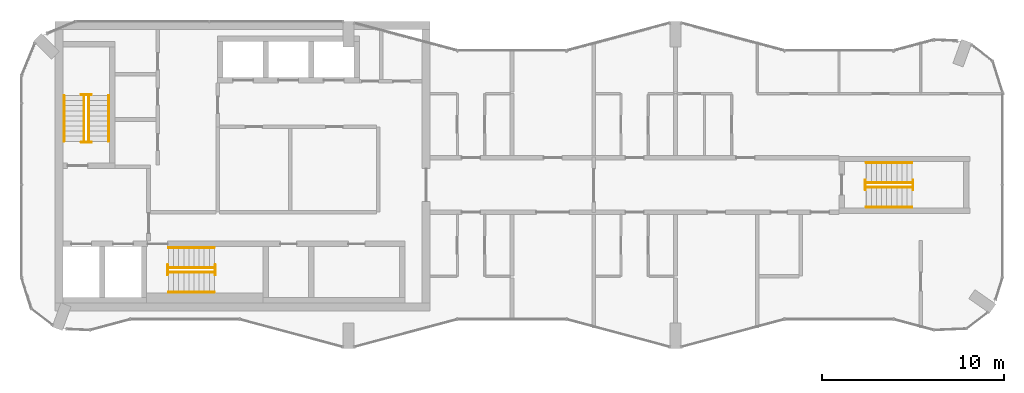
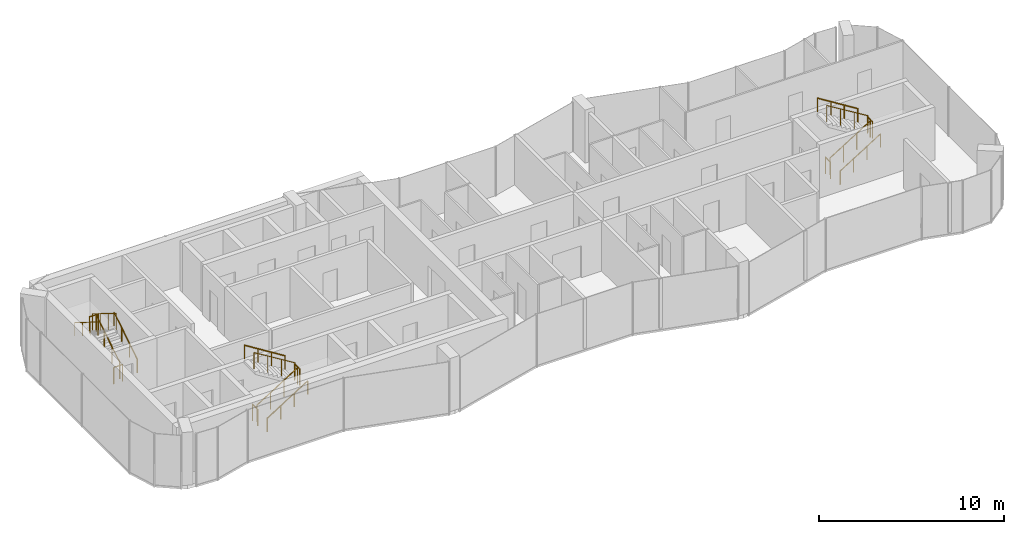
# One storey, part 10 of 10: 18 railings.
"""IFC4 building model written with IfcOpenShell, lengths in metres."""

from ifc_helpers import new_model, si_unit, direction, frame, origin, origin_2d, place, context, subcontext, project, spatial, circle, extrude, material, type_object, element, save


model = new_model("IFC4")

# Units and contexts
model_context = context("Model", 3, precision=1e-05, world=origin(), true_north=direction((0.0, 1.0)))
body_context = subcontext(model_context, "Body", "Model", "MODEL_VIEW")
ifc_project = project(units=[si_unit("LENGTHUNIT", "METRE"), si_unit("AREAUNIT", "SQUARE_METRE"), si_unit("VOLUMEUNIT", "CUBIC_METRE"), si_unit("PLANEANGLEUNIT", "RADIAN"), si_unit("MASSUNIT", "GRAM", prefix="KILO")], contexts=[model_context])

# Site, building, storey
site_placement = place(None, origin())
site = spatial("IfcSite", under=ifc_project, at=site_placement, CompositionType="ELEMENT")
building_placement = place(site_placement, origin())
building = spatial("IfcBuilding", under=site, at=building_placement, Name="Plateau Cross Towers", CompositionType="ELEMENT")
storey_placement = place(building_placement, frame((0.0, 0.0, 259.89990234375)))
storey = spatial("IfcBuildingStorey", under=building, at=storey_placement, Name="L68", CompositionType="ELEMENT", Elevation=259.89990234375)

# Railings
ifc_material_1 = material(Name="Stainless steel and toughened glass", Category="steel")
railing_type_1 = type_object("IfcRailingType", Name="RL-GUARD-1100", PredefinedType="GUARDRAIL", material=ifc_material_1)
railing_1_placement = place(storey_placement, frame((3.699951171875, 11.39990234375, 0.175048828125)))
element("IfcRailing", 1, at=railing_1_placement, inside=storey, type_object=railing_type_1, Name="L68 ST-1 stair guard 1", PredefinedType="GUARDRAIL", context=body_context, shape_type="SweptSolid", body=[
    extrude(circle(Radius=0.02392578125, at=origin_2d()), frame((0.0, 0.0, 1.076171875), z_axis=(0.0, 0.848007534815, 0.529984170421), x_axis=(-1.0, 0.0, 0.0)), (0.0, 0.0, 1.0), 2.9716796875),
    extrude(circle(Radius=0.02099609375, at=origin_2d()), origin(), (0.0, 0.0, 1.0), 1.052001953125),
    extrude(circle(Radius=0.02099609375, at=origin_2d()), frame((0.0, 0.840087890625, 0.52490234375)), (0.0, 0.0, 1.0), 1.052001953125),
    extrude(circle(Radius=0.02099609375, at=origin_2d()), frame((0.0, 1.679931640625, 1.050048828125)), (0.0, 0.0, 1.0), 1.052001953125),
    extrude(circle(Radius=0.02099609375, at=origin_2d()), frame((0.0, 2.52001953125, 1.574951171875)), (0.0, 0.0, 1.0), 1.052001953125),
])
railing_2_placement = place(storey_placement, frame((3.85009765625, 13.969970703125, 1.75)))
element("IfcRailing", 2, at=railing_2_placement, inside=storey, type_object=railing_type_1, Name="L68 ST-1 stair guard 2", PredefinedType="GUARDRAIL", context=body_context, shape_type="SweptSolid", body=[
    extrude(circle(Radius=0.02392578125, at=origin_2d()), frame((0.0, 0.0, 1.076171875), z_axis=(-1.0, 0.0, 0.0), x_axis=(0.0, -1.0, 0.0)), (0.0, 0.0, 1.0), 0.550048828125),
    extrude(circle(Radius=0.02099609375, at=origin_2d()), origin(), (0.0, 0.0, 1.0), 1.052001953125),
    extrude(circle(Radius=0.02099609375, at=origin_2d()), frame((-0.550048828125, 0.0, 0.0)), (0.0, 0.0, 1.0), 1.052001953125),
])
railing_3_placement = place(storey_placement, frame((3.449951171875, 13.919921875, 1.925048828125)))
element("IfcRailing", 3, at=railing_3_placement, inside=storey, type_object=railing_type_1, Name="L68 ST-1 stair guard 3", PredefinedType="GUARDRAIL", context=body_context, shape_type="SweptSolid", body=[
    extrude(circle(Radius=0.02392578125, at=origin_2d()), frame((0.0, 0.0, 1.076171875), z_axis=(0.0, -0.852616386126, 0.522537365276), x_axis=(1.0, 0.0, 0.0)), (0.0, 0.0, 1.0), 3.01416015625),
    extrude(circle(Radius=0.02099609375, at=origin_2d()), origin(), (0.0, 0.0, 1.0), 1.052001953125),
    extrude(circle(Radius=0.02099609375, at=origin_2d()), frame((0.0, -0.856689453125, 0.52490234375)), (0.0, 0.0, 1.0), 1.052001953125),
    extrude(circle(Radius=0.02099609375, at=origin_2d()), frame((0.0, -1.713134765625, 1.050048828125)), (0.0, 0.0, 1.0), 1.052001953125),
    extrude(circle(Radius=0.02099609375, at=origin_2d()), frame((0.0, -2.56982421875, 1.574951171875)), (0.0, 0.0, 1.0), 1.052001953125),
])
railing_4_placement = place(storey_placement, frame((3.85009765625, 11.35009765625, 0.0)))
element("IfcRailing", 4, at=railing_4_placement, inside=storey, type_object=railing_type_1, Name="L68 ST-1 stair guard 4", PredefinedType="GUARDRAIL", context=body_context, shape_type="SweptSolid", body=[
    extrude(circle(Radius=0.02392578125, at=origin_2d()), frame((0.0, 0.0, 1.076171875), z_axis=(-1.0, 0.0, 0.0), x_axis=(0.0, -1.0, 0.0)), (0.0, 0.0, 1.0), 0.550048828125),
    extrude(circle(Radius=0.02099609375, at=origin_2d()), origin(), (0.0, 0.0, 1.0), 1.052001953125),
    extrude(circle(Radius=0.02099609375, at=origin_2d()), frame((-0.550048828125, 0.0, 0.0)), (0.0, 0.0, 1.0), 1.052001953125),
])
railing_5_placement = place(storey_placement, frame((8.10009765625, 4.199951171875, 0.175048828125)))
element("IfcRailing", 5, at=railing_5_placement, inside=storey, type_object=railing_type_1, Name="L68 ST-2 stair guard 1", PredefinedType="GUARDRAIL", context=body_context, shape_type="SweptSolid", body=[
    extrude(circle(Radius=0.02392578125, at=origin_2d()), frame((0.0, 0.0, 1.076171875), z_axis=(0.848007534815, 0.0, 0.529984170421), x_axis=(0.0, 1.0, 0.0)), (0.0, 0.0, 1.0), 2.9716796875),
    extrude(circle(Radius=0.02099609375, at=origin_2d()), origin(), (0.0, 0.0, 1.0), 1.052001953125),
    extrude(circle(Radius=0.02099609375, at=origin_2d()), frame((0.840087890625, 0.0, 0.52490234375)), (0.0, 0.0, 1.0), 1.052001953125),
    extrude(circle(Radius=0.02099609375, at=origin_2d()), frame((1.679931640625, 0.0, 1.050048828125)), (0.0, 0.0, 1.0), 1.052001953125),
    extrude(circle(Radius=0.02099609375, at=origin_2d()), frame((2.52001953125, 0.0, 1.574951171875)), (0.0, 0.0, 1.0), 1.052001953125),
])
railing_6_placement = place(storey_placement, frame((10.669921875, 4.050048828125, 1.75)))
element("IfcRailing", 6, at=railing_6_placement, inside=storey, type_object=railing_type_1, Name="L68 ST-2 stair guard 2", PredefinedType="GUARDRAIL", context=body_context, shape_type="SweptSolid", body=[
    extrude(circle(Radius=0.02392578125, at=origin_2d()), frame((0.0, 0.0, 1.076171875), z_axis=(0.0, 1.0, 0.0), x_axis=(-1.0, 0.0, 0.0)), (0.0, 0.0, 1.0), 0.550048828125),
    extrude(circle(Radius=0.02099609375, at=origin_2d()), origin(), (0.0, 0.0, 1.0), 1.052001953125),
    extrude(circle(Radius=0.02099609375, at=origin_2d()), frame((0.0, 0.550048828125, 0.0)), (0.0, 0.0, 1.0), 1.052001953125),
])
railing_7_placement = place(storey_placement, frame((10.6201171875, 4.449951171875, 1.925048828125)))
element("IfcRailing", 7, at=railing_7_placement, inside=storey, type_object=railing_type_1, Name="L68 ST-2 stair guard 3", PredefinedType="GUARDRAIL", context=body_context, shape_type="SweptSolid", body=[
    extrude(circle(Radius=0.02392578125, at=origin_2d()), frame((0.0, 0.0, 1.076171875), z_axis=(-0.852638500773, 0.0, 0.522501279423), x_axis=(0.0, -1.0, 0.0)), (0.0, 0.0, 1.0), 3.01416015625),
    extrude(circle(Radius=0.02099609375, at=origin_2d()), origin(), (0.0, 0.0, 1.0), 1.052001953125),
    extrude(circle(Radius=0.02099609375, at=origin_2d()), frame((-0.856689453125, 0.0, 0.52490234375)), (0.0, 0.0, 1.0), 1.052001953125),
    extrude(circle(Radius=0.02099609375, at=origin_2d()), frame((-1.71337890625, 0.0, 1.050048828125)), (0.0, 0.0, 1.0), 1.052001953125),
    extrude(circle(Radius=0.02099609375, at=origin_2d()), frame((-2.570068359375, 0.0, 1.574951171875)), (0.0, 0.0, 1.0), 1.052001953125),
])
railing_8_placement = place(storey_placement, frame((8.050048828125, 4.050048828125, 0.0)))
element("IfcRailing", 8, at=railing_8_placement, inside=storey, type_object=railing_type_1, Name="L68 ST-2 stair guard 4", PredefinedType="GUARDRAIL", context=body_context, shape_type="SweptSolid", body=[
    extrude(circle(Radius=0.02392578125, at=origin_2d()), frame((0.0, 0.0, 1.076171875), z_axis=(0.0, 1.0, 0.0), x_axis=(-1.0, 0.0, 0.0)), (0.0, 0.0, 1.0), 0.550048828125),
    extrude(circle(Radius=0.02099609375, at=origin_2d()), origin(), (0.0, 0.0, 1.0), 1.052001953125),
    extrude(circle(Radius=0.02099609375, at=origin_2d()), frame((0.0, 0.550048828125, 0.0)), (0.0, 0.0, 1.0), 1.052001953125),
])
railing_9_placement = place(storey_placement, frame((46.5, 8.875, 0.175048828125)))
element("IfcRailing", 9, at=railing_9_placement, inside=storey, type_object=railing_type_1, Name="L68 ES-E stair guard 1", PredefinedType="GUARDRAIL", context=body_context, shape_type="SweptSolid", body=[
    extrude(circle(Radius=0.02392578125, at=origin_2d()), frame((0.0, 0.0, 1.076171875), z_axis=(0.848007534815, 0.0, 0.529984170421), x_axis=(0.0, 1.0, 0.0)), (0.0, 0.0, 1.0), 2.9716796875),
    extrude(circle(Radius=0.02099609375, at=origin_2d()), origin(), (0.0, 0.0, 1.0), 1.052001953125),
    extrude(circle(Radius=0.02099609375, at=origin_2d()), frame((0.840087890625, 0.0, 0.52490234375)), (0.0, 0.0, 1.0), 1.052001953125),
    extrude(circle(Radius=0.02099609375, at=origin_2d()), frame((1.679931640625, 0.0, 1.050048828125)), (0.0, 0.0, 1.0), 1.052001953125),
    extrude(circle(Radius=0.02099609375, at=origin_2d()), frame((2.52001953125, 0.0, 1.574951171875)), (0.0, 0.0, 1.0), 1.052001953125),
])
railing_10_placement = place(storey_placement, frame((49.070068359375, 8.72509765625, 1.75)))
element("IfcRailing", 10, at=railing_10_placement, inside=storey, type_object=railing_type_1, Name="L68 ES-E stair guard 2", PredefinedType="GUARDRAIL", context=body_context, shape_type="SweptSolid", body=[
    extrude(circle(Radius=0.02392578125, at=origin_2d()), frame((0.0, 0.0, 1.076171875), z_axis=(0.0, 1.0, 0.0), x_axis=(-1.0, 0.0, 0.0)), (0.0, 0.0, 1.0), 0.5498046875),
    extrude(circle(Radius=0.02099609375, at=origin_2d()), origin(), (0.0, 0.0, 1.0), 1.052001953125),
    extrude(circle(Radius=0.02099609375, at=origin_2d()), frame((0.0, 0.5498046875, 0.0)), (0.0, 0.0, 1.0), 1.052001953125),
])
railing_11_placement = place(storey_placement, frame((49.02001953125, 9.125, 1.925048828125)))
element("IfcRailing", 11, at=railing_11_placement, inside=storey, type_object=railing_type_1, Name="L68 ES-E stair guard 3", PredefinedType="GUARDRAIL", context=body_context, shape_type="SweptSolid", body=[
    extrude(circle(Radius=0.02392578125, at=origin_2d()), frame((0.0, 0.0, 1.076171875), z_axis=(-0.852638500773, 0.0, 0.522501279423), x_axis=(0.0, -1.0, 0.0)), (0.0, 0.0, 1.0), 3.01416015625),
    extrude(circle(Radius=0.02099609375, at=origin_2d()), origin(), (0.0, 0.0, 1.0), 1.052001953125),
    extrude(circle(Radius=0.02099609375, at=origin_2d()), frame((-0.856689453125, 0.0, 0.52490234375)), (0.0, 0.0, 1.0), 1.052001953125),
    extrude(circle(Radius=0.02099609375, at=origin_2d()), frame((-1.71337890625, 0.0, 1.050048828125)), (0.0, 0.0, 1.0), 1.052001953125),
    extrude(circle(Radius=0.02099609375, at=origin_2d()), frame((-2.570068359375, 0.0, 1.574951171875)), (0.0, 0.0, 1.0), 1.052001953125),
])
railing_12_placement = place(storey_placement, frame((46.449951171875, 8.72509765625, 0.0)))
element("IfcRailing", 12, at=railing_12_placement, inside=storey, type_object=railing_type_1, Name="L68 ES-E stair guard 4", PredefinedType="GUARDRAIL", context=body_context, shape_type="SweptSolid", body=[
    extrude(circle(Radius=0.02392578125, at=origin_2d()), frame((0.0, 0.0, 1.076171875), z_axis=(0.0, 1.0, 0.0), x_axis=(-1.0, 0.0, 0.0)), (0.0, 0.0, 1.0), 0.5498046875),
    extrude(circle(Radius=0.02099609375, at=origin_2d()), origin(), (0.0, 0.0, 1.0), 1.052001953125),
    extrude(circle(Radius=0.02099609375, at=origin_2d()), frame((0.0, 0.5498046875, 0.0)), (0.0, 0.0, 1.0), 1.052001953125),
])
ifc_material_2 = material(Name="Black anodised aluminium", Category="aluminium")
railing_type_2 = type_object("IfcRailingType", Name="RL-HANDRAIL-900", PredefinedType="HANDRAIL", material=ifc_material_2)
railing_13_placement = place(storey_placement, frame((4.800048828125, 11.39990234375, 0.175048828125)))
element("IfcRailing", 13, at=railing_13_placement, inside=storey, type_object=railing_type_2, Name="L68 ST-1 stair handrail 1", PredefinedType="HANDRAIL", context=body_context, shape_type="SweptSolid", body=[
    extrude(circle(Radius=0.02392578125, at=origin_2d()), frame((0.0, 0.0, 0.8759765625), z_axis=(0.0, 0.848007534815, 0.529984170421), x_axis=(-1.0, 0.0, 0.0)), (0.0, 0.0, 1.0), 2.9716796875),
    extrude(circle(Radius=0.02099609375, at=origin_2d()), origin(), (0.0, 0.0, 1.0), 0.851806640625),
    extrude(circle(Radius=0.02099609375, at=origin_2d()), frame((0.0, 0.840087890625, 0.52490234375)), (0.0, 0.0, 1.0), 0.851806640625),
    extrude(circle(Radius=0.02099609375, at=origin_2d()), frame((0.0, 1.679931640625, 1.050048828125)), (0.0, 0.0, 1.0), 0.851806640625),
    extrude(circle(Radius=0.02099609375, at=origin_2d()), frame((0.0, 2.52001953125, 1.574951171875)), (0.0, 0.0, 1.0), 0.851806640625),
])
railing_14_placement = place(storey_placement, frame((2.35009765625, 13.919921875, 1.925048828125)))
element("IfcRailing", 14, at=railing_14_placement, inside=storey, type_object=railing_type_2, Name="L68 ST-1 stair handrail 2", PredefinedType="HANDRAIL", context=body_context, shape_type="SweptSolid", body=[
    extrude(circle(Radius=0.02392578125, at=origin_2d()), frame((0.0, 0.0, 0.8759765625), z_axis=(0.0, -0.848007534815, 0.529984170421), x_axis=(1.0, 0.0, 0.0)), (0.0, 0.0, 1.0), 2.9716796875),
    extrude(circle(Radius=0.02099609375, at=origin_2d()), origin(), (0.0, 0.0, 1.0), 0.851806640625),
    extrude(circle(Radius=0.02099609375, at=origin_2d()), frame((0.0, -0.840087890625, 0.52490234375)), (0.0, 0.0, 1.0), 0.851806640625),
    extrude(circle(Radius=0.02099609375, at=origin_2d()), frame((0.0, -1.679931640625, 1.050048828125)), (0.0, 0.0, 1.0), 0.851806640625),
    extrude(circle(Radius=0.02099609375, at=origin_2d()), frame((0.0, -2.52001953125, 1.574951171875)), (0.0, 0.0, 1.0), 0.851806640625),
])
railing_15_placement = place(storey_placement, frame((8.10009765625, 3.10009765625, 0.175048828125)))
element("IfcRailing", 15, at=railing_15_placement, inside=storey, type_object=railing_type_2, Name="L68 ST-2 stair handrail 1", PredefinedType="HANDRAIL", context=body_context, shape_type="SweptSolid", body=[
    extrude(circle(Radius=0.02392578125, at=origin_2d()), frame((0.0, 0.0, 0.8759765625), z_axis=(0.848007534815, 0.0, 0.529984170421), x_axis=(0.0, 1.0, 0.0)), (0.0, 0.0, 1.0), 2.9716796875),
    extrude(circle(Radius=0.02099609375, at=origin_2d()), origin(), (0.0, 0.0, 1.0), 0.851806640625),
    extrude(circle(Radius=0.02099609375, at=origin_2d()), frame((0.840087890625, 0.0, 0.52490234375)), (0.0, 0.0, 1.0), 0.851806640625),
    extrude(circle(Radius=0.02099609375, at=origin_2d()), frame((1.679931640625, 0.0, 1.050048828125)), (0.0, 0.0, 1.0), 0.851806640625),
    extrude(circle(Radius=0.02099609375, at=origin_2d()), frame((2.52001953125, 0.0, 1.574951171875)), (0.0, 0.0, 1.0), 0.851806640625),
])
railing_16_placement = place(storey_placement, frame((10.6201171875, 5.550048828125, 1.925048828125)))
element("IfcRailing", 16, at=railing_16_placement, inside=storey, type_object=railing_type_2, Name="L68 ST-2 stair handrail 2", PredefinedType="HANDRAIL", context=body_context, shape_type="SweptSolid", body=[
    extrude(circle(Radius=0.02392578125, at=origin_2d()), frame((0.0, 0.0, 0.8759765625), z_axis=(-0.848007534815, 0.0, 0.529984170421), x_axis=(0.0, -1.0, 0.0)), (0.0, 0.0, 1.0), 2.9716796875),
    extrude(circle(Radius=0.02099609375, at=origin_2d()), origin(), (0.0, 0.0, 1.0), 0.851806640625),
    extrude(circle(Radius=0.02099609375, at=origin_2d()), frame((-0.840087890625, 0.0, 0.52490234375)), (0.0, 0.0, 1.0), 0.851806640625),
    extrude(circle(Radius=0.02099609375, at=origin_2d()), frame((-1.679931640625, 0.0, 1.050048828125)), (0.0, 0.0, 1.0), 0.851806640625),
    extrude(circle(Radius=0.02099609375, at=origin_2d()), frame((-2.52001953125, 0.0, 1.574951171875)), (0.0, 0.0, 1.0), 0.851806640625),
])
railing_17_placement = place(storey_placement, frame((46.5, 7.77490234375, 0.175048828125)))
element("IfcRailing", 17, at=railing_17_placement, inside=storey, type_object=railing_type_2, Name="L68 ES-E stair handrail 1", PredefinedType="HANDRAIL", context=body_context, shape_type="SweptSolid", body=[
    extrude(circle(Radius=0.02392578125, at=origin_2d()), frame((0.0, 0.0, 0.8759765625), z_axis=(0.848007534815, 0.0, 0.529984170421), x_axis=(0.0, 1.0, 0.0)), (0.0, 0.0, 1.0), 2.9716796875),
    extrude(circle(Radius=0.02099609375, at=origin_2d()), origin(), (0.0, 0.0, 1.0), 0.851806640625),
    extrude(circle(Radius=0.02099609375, at=origin_2d()), frame((0.840087890625, 0.0, 0.52490234375)), (0.0, 0.0, 1.0), 0.851806640625),
    extrude(circle(Radius=0.02099609375, at=origin_2d()), frame((1.679931640625, 0.0, 1.050048828125)), (0.0, 0.0, 1.0), 0.851806640625),
    extrude(circle(Radius=0.02099609375, at=origin_2d()), frame((2.52001953125, 0.0, 1.574951171875)), (0.0, 0.0, 1.0), 0.851806640625),
])
railing_18_placement = place(storey_placement, frame((49.02001953125, 10.22509765625, 1.925048828125)))
element("IfcRailing", 18, at=railing_18_placement, inside=storey, type_object=railing_type_2, Name="L68 ES-E stair handrail 2", PredefinedType="HANDRAIL", context=body_context, shape_type="SweptSolid", body=[
    extrude(circle(Radius=0.02392578125, at=origin_2d()), frame((0.0, 0.0, 0.8759765625), z_axis=(-0.848007534815, 0.0, 0.529984170421), x_axis=(0.0, -1.0, 0.0)), (0.0, 0.0, 1.0), 2.9716796875),
    extrude(circle(Radius=0.02099609375, at=origin_2d()), origin(), (0.0, 0.0, 1.0), 0.851806640625),
    extrude(circle(Radius=0.02099609375, at=origin_2d()), frame((-0.840087890625, 0.0, 0.52490234375)), (0.0, 0.0, 1.0), 0.851806640625),
    extrude(circle(Radius=0.02099609375, at=origin_2d()), frame((-1.679931640625, 0.0, 1.050048828125)), (0.0, 0.0, 1.0), 0.851806640625),
    extrude(circle(Radius=0.02099609375, at=origin_2d()), frame((-2.52001953125, 0.0, 1.574951171875)), (0.0, 0.0, 1.0), 0.851806640625),
])

save(model, "model.ifc")
